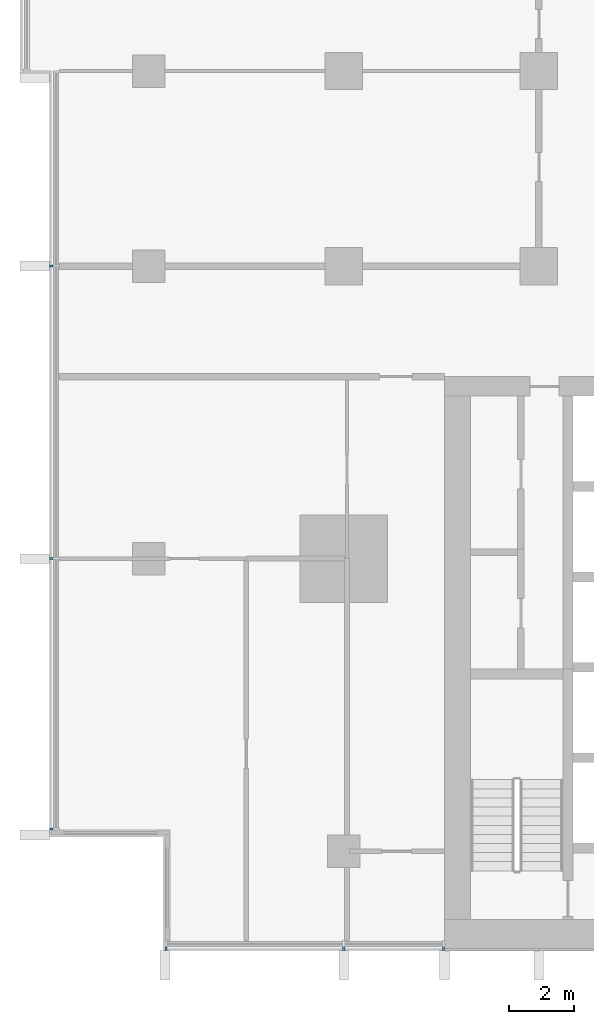
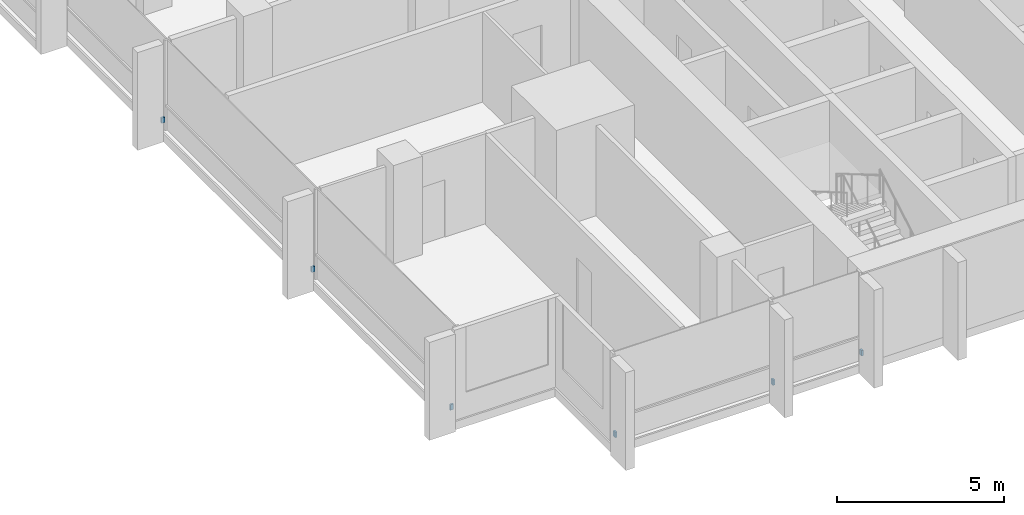
# One storey, part 13 of 17: 6 discrete accessories.
"""IFC4 building model written with IfcOpenShell, lengths in metres."""

from ifc_helpers import new_model, si_unit, direction, frame, origin, origin_2d, place, context, subcontext, project, spatial, rectangle, extrude, material, type_object, element, save


model = new_model("IFC4")

# Units and contexts
model_context = context("Model", 3, precision=1e-05, world=origin(), true_north=direction((0.0, 1.0)))
body_context = subcontext(model_context, "Body", "Model", "MODEL_VIEW")
ifc_project = project(units=[si_unit("LENGTHUNIT", "METRE"), si_unit("AREAUNIT", "SQUARE_METRE"), si_unit("VOLUMEUNIT", "CUBIC_METRE"), si_unit("PLANEANGLEUNIT", "RADIAN"), si_unit("MASSUNIT", "GRAM", prefix="KILO")], contexts=[model_context])

# Site, building, storey
site_placement = place(None, origin())
site = spatial("IfcSite", under=ifc_project, at=site_placement, CompositionType="ELEMENT")
building_placement = place(site_placement, origin())
building = spatial("IfcBuilding", under=site, at=building_placement, Name="Finial Court Residences", CompositionType="ELEMENT")
storey_placement = place(building_placement, frame((0.0, 0.0, 95.5)))
storey = spatial("IfcBuildingStorey", under=building, at=storey_placement, Name="L23", CompositionType="ELEMENT", Elevation=95.5)

# Discrete accessories
ifc_material = material(Name="Stainless steel 316", Category="steel")
discrete_accessory_type = type_object("IfcDiscreteAccessoryType", Name="Fin bracket, stainless steel 65 x 110 x 200", PredefinedType="BRACKET", material=ifc_material)
for number, where, z_axis, x_axis, name in (
    (1, (-21.967529296875, -25.5048828125, 0.2998046875), (0.0, 0.0, 1.0), (1.0, 0.0, 0.0), "E-L23-FIN-S16-BRK"),
    (2, (-16.5, -25.5048828125, 0.2998046875), (0.0, 0.0, 1.0), (1.0, 0.0, 0.0), "E-L23-FIN-S17-BRK"),
    (3, (-13.4326171875, -25.5048828125, 0.2998046875), (0.0, 0.0, 1.0), (1.0, 0.0, 0.0), "E-L23-FIN-S18-BRK"),
):
    element("IfcDiscreteAccessory", number, at=place(storey_placement, frame(where, z_axis=z_axis, x_axis=x_axis)), inside=storey, type_object=discrete_accessory_type, Name=name, PredefinedType="BRACKET", context=body_context, shape_type="SweptSolid", body=[
        extrude(rectangle(XDim=0.06494140625, YDim=0.110107421875, at=origin_2d()), origin(), (0.0, 0.0, 1.0), 0.199951171875),
    ])
for number, where, z_axis, x_axis, name in (
    (4, (-25.5048828125, -21.8173828125, 0.2998046875), (0.0, 0.0, 1.0), (1.0, 0.0, 0.0), "E-L23-FIN-W26-BRK"),
    (5, (-25.5048828125, -13.5, 0.2998046875), (0.0, 0.0, 1.0), (1.0, 0.0, 0.0), "E-L23-FIN-W27-BRK"),
    (6, (-25.5048828125, -4.5, 0.2998046875), (0.0, 0.0, 1.0), (1.0, 0.0, 0.0), "E-L23-FIN-W28-BRK"),
):
    element("IfcDiscreteAccessory", number, at=place(storey_placement, frame(where, z_axis=z_axis, x_axis=x_axis)), inside=storey, type_object=discrete_accessory_type, Name=name, PredefinedType="BRACKET", context=body_context, shape_type="SweptSolid", body=[
        extrude(rectangle(XDim=0.110107421875, YDim=0.06494140625, at=origin_2d()), origin(), (0.0, 0.0, 1.0), 0.199951171875),
    ])

save(model, "model.ifc")
